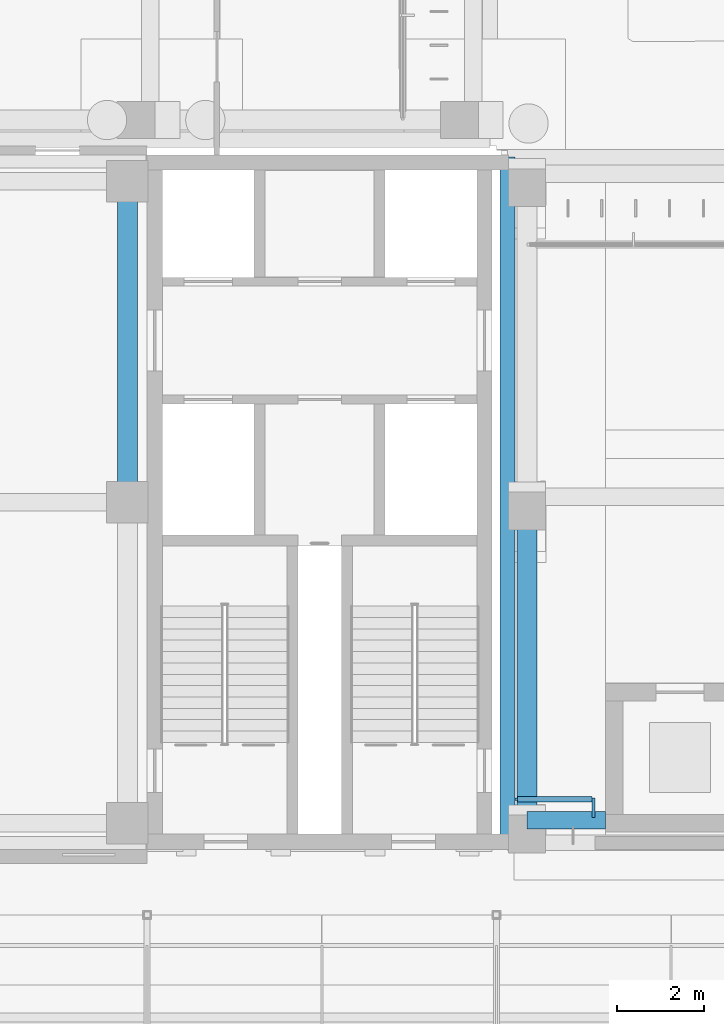
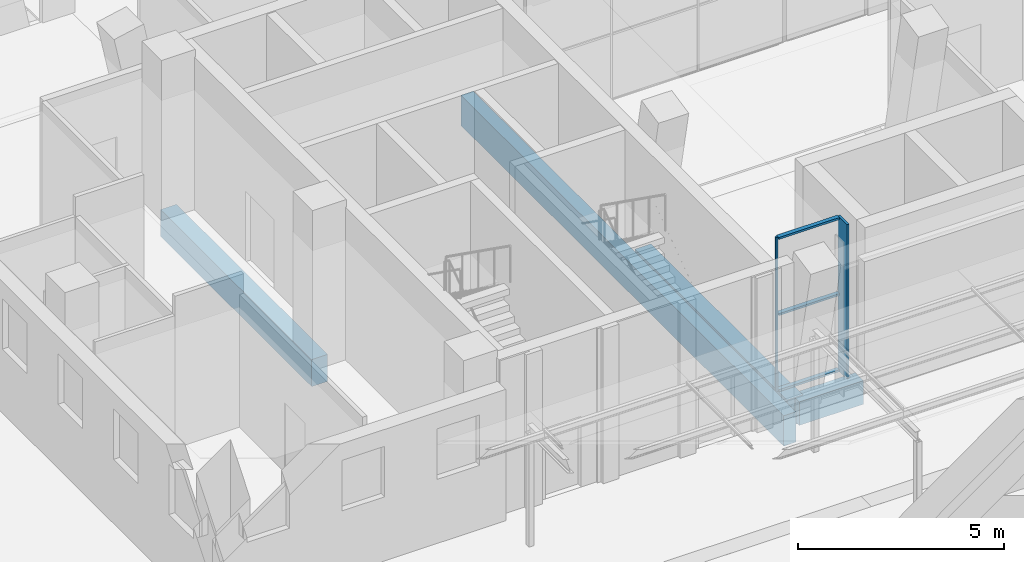
# One storey, part 30 of 144: 5 members, 4 beams, 1 element without a shape of its own.
"""IFC4 building model written with IfcOpenShell, lengths in metres."""

from ifc_helpers import new_model, si_unit, direction, frame, origin, origin_2d, place, context, subcontext, project, spatial, rectangle, extrude, material, material_profile, profile_set, type_object, element, aggregate, save


model = new_model("IFC4")

# Units and contexts
model_context = context("Model", 3, precision=1e-05, world=origin(), true_north=direction((0.0, 1.0)))
body_context = subcontext(model_context, "Body", "Model", "MODEL_VIEW")
ifc_project = project(units=[si_unit("LENGTHUNIT", "METRE"), si_unit("AREAUNIT", "SQUARE_METRE"), si_unit("VOLUMEUNIT", "CUBIC_METRE"), si_unit("PLANEANGLEUNIT", "RADIAN"), si_unit("MASSUNIT", "GRAM", prefix="KILO")], contexts=[model_context])

# Site, building, storey
site_placement = place(None, origin())
site = spatial("IfcSite", under=ifc_project, at=site_placement, CompositionType="ELEMENT")
building_placement = place(site_placement, origin())
building = spatial("IfcBuilding", under=site, at=building_placement, Name="Lantern Court Media Centre", CompositionType="ELEMENT")
storey_placement = place(building_placement, origin())
storey = spatial("IfcBuildingStorey", under=building, at=storey_placement, Name="L00", CompositionType="ELEMENT", Elevation=0.0)

# Curtain wall, members
ifc_material_1 = material(Name="Curtain wall bay 3000")
curtain_wall_type = type_object("IfcCurtainWallType", Name="Curtain wall bay 3000", PredefinedType="NOTDEFINED", material=ifc_material_1)
curtain_wall_placement = place(storey_placement, origin())
curtain_wall = element("IfcCurtainWall", 1, at=curtain_wall_placement, inside=storey, type_object=curtain_wall_type, Name="Curtain wall S outer L00", PredefinedType="NOTDEFINED")
ifc_material_2 = material(Name="Anodised aluminium", Category="aluminium")
ifc_material_profile_1 = material_profile(ifc_material_2, rectangle(XDim=0.449951171875, YDim=0.06005859375, at=origin_2d()), Name="AL 60x450")
ifc_profile_set_1 = profile_set([ifc_material_profile_1], Name="Anodised aluminium")
member_type_1 = type_object("IfcMemberType", Name="Curtain wall mullion 60x450", PredefinedType="MULLION", material=ifc_profile_set_1)
member_1_placement = place(storey_placement, frame((26.219970703125, 48.955078125, 0.0), z_axis=(0.0, 0.0, 1.0), x_axis=(0.0, 1.0, 0.0)))
member_1 = element("IfcMember", 2, at=member_1_placement, type_object=member_type_1, Name="CW1 mullion 2", PredefinedType="MULLION", context=body_context, shape_type="SweptSolid", body=[
    extrude(rectangle(XDim=0.449951171875, YDim=0.06005859375, at=origin_2d()), origin(), (0.0, 0.0, 1.0), 4.580078125),
])
ifc_material_profile_2 = material_profile(ifc_material_2, rectangle(XDim=0.06005859375, YDim=0.06005859375, at=origin_2d()), Name="AL 60x60")
ifc_profile_set_2 = profile_set([ifc_material_profile_2], Name="Anodised aluminium")
member_type_2 = type_object("IfcMemberType", Name="Curtain wall mullion 60x60", PredefinedType="MULLION", material=ifc_profile_set_2)
member_2_placement = place(storey_placement, frame((24.449951171875, 49.14990234375, 0.0), z_axis=(0.0, 0.0, 1.0), x_axis=(0.0, 1.0, 0.0)))
member_2 = element("IfcMember", 3, at=member_2_placement, type_object=member_type_2, Name="CW1 mullion 1", PredefinedType="MULLION", context=body_context, shape_type="SweptSolid", body=[
    extrude(rectangle(XDim=0.06005859375, YDim=0.06005859375, at=origin_2d()), origin(), (0.0, 0.0, 1.0), 4.580078125),
])
ifc_material_profile_3 = material_profile(ifc_material_2, rectangle(XDim=0.1201171875, YDim=0.06005859375, at=origin_2d()), Name="AL 60x120")
ifc_profile_set_3 = profile_set([ifc_material_profile_3], Name="Anodised aluminium")
member_type_3 = type_object("IfcMemberType", Name="Curtain wall transom 60x120", PredefinedType="USERDEFINED", material=ifc_profile_set_3)
member_3_placement = place(storey_placement, frame((24.47998046875, 49.14990234375, 0.030029296875), z_axis=(1.0, 0.0, 0.0), x_axis=(0.0, 1.0, 0.0)))
member_3 = element("IfcMember", 4, at=member_3_placement, type_object=member_type_3, Name="CW1 transom 1.1", ObjectType="TRANSOM", PredefinedType="USERDEFINED", context=body_context, shape_type="SweptSolid", body=[
    extrude(rectangle(XDim=0.1201171875, YDim=0.06005859375, at=origin_2d()), origin(), (0.0, 0.0, 1.0), 1.7099609375),
])
member_4_placement = place(storey_placement, frame((24.47998046875, 49.14990234375, 2.2900390625), z_axis=(1.0, 0.0, 0.0), x_axis=(0.0, 1.0, 0.0)))
member_4 = element("IfcMember", 5, at=member_4_placement, type_object=member_type_3, Name="CW1 transom 1.2", ObjectType="TRANSOM", PredefinedType="USERDEFINED", context=body_context, shape_type="SweptSolid", body=[
    extrude(rectangle(XDim=0.1201171875, YDim=0.06005859375, at=origin_2d()), origin(), (0.0, 0.0, 1.0), 1.7099609375),
])
member_5_placement = place(storey_placement, frame((24.47998046875, 49.14990234375, 4.550048828125), z_axis=(1.0, 0.0, 0.0), x_axis=(0.0, 1.0, 0.0)))
member_5 = element("IfcMember", 6, at=member_5_placement, type_object=member_type_3, Name="CW1 transom 1.3", ObjectType="TRANSOM", PredefinedType="USERDEFINED", context=body_context, shape_type="SweptSolid", body=[
    extrude(rectangle(XDim=0.1201171875, YDim=0.06005859375, at=origin_2d()), origin(), (0.0, 0.0, 1.0), 1.7099609375),
])
aggregate(curtain_wall, [member_2, member_1, member_3, member_4, member_5])

# Beams
ifc_material_3 = material(Name="Concrete C35", Category="concrete")
ifc_material_profile_4 = material_profile(ifc_material_3, rectangle(XDim=0.35009765625, YDim=0.89990234375, at=origin_2d()), Name="RC 350x900")
ifc_profile_set_4 = profile_set([ifc_material_profile_4], Name="Concrete C35")
beam_type_1 = type_object("IfcBeamType", Name="RC BEAM 350x900", PredefinedType="BEAM", material=ifc_profile_set_4)
beam_1_placement = place(storey_placement, frame((24.25, 48.14990234375, -0.449951171875), z_axis=(0.0, 1.0, 0.0), x_axis=(-1.0, 0.0, 0.0)))
element("IfcBeam", 7, at=beam_1_placement, inside=storey, type_object=beam_type_1, Name="EB-S-L00-C", PredefinedType="BEAM", context=body_context, shape_type="SweptSolid", body=[
    extrude(rectangle(XDim=0.35009765625, YDim=0.89990234375, at=origin_2d()), origin(), (0.0, 0.0, 1.0), 15.7001953125),
])
ifc_material_profile_5 = material_profile(ifc_material_3, rectangle(XDim=0.39990234375, YDim=0.699951171875, at=origin_2d()), Name="RC 400x700")
ifc_profile_set_5 = profile_set([ifc_material_profile_5], Name="Concrete C35")
beam_type_2 = type_object("IfcBeamType", Name="RC BEAM 400x700", PredefinedType="BEAM", material=ifc_profile_set_5)
beam_2_placement = place(storey_placement, frame((24.699951171875, 48.6728515625, -0.35009765625), z_axis=(1.0, 0.0, 0.0), x_axis=(0.0, 1.0, 0.0)))
element("IfcBeam", 8, at=beam_2_placement, inside=storey, type_object=beam_type_2, Name="LB-S-L00-0-0", PredefinedType="BEAM", context=body_context, shape_type="SweptSolid", body=[
    extrude(rectangle(XDim=0.39990234375, YDim=0.699951171875, at=origin_2d()), origin(), (0.0, 0.0, 1.0), 1.800048828125),
])
ifc_material_profile_6 = material_profile(ifc_material_3, rectangle(XDim=0.449951171875, YDim=0.800048828125, at=origin_2d()), Name="RC 450x800")
ifc_profile_set_6 = profile_set([ifc_material_profile_6], Name="Concrete C35")
beam_type_3 = type_object("IfcBeamType", Name="RC BEAM 450x800", PredefinedType="BEAM", material=ifc_profile_set_6)
beam_3_placement = place(storey_placement, frame((15.550048828125, 55.949951171875, -0.39990234375), z_axis=(0.0, 1.0, 0.0), x_axis=(-1.0, 0.0, 0.0)))
element("IfcBeam", 9, at=beam_3_placement, inside=storey, type_object=beam_type_3, Name="BB-SW-L00-X1-15", PredefinedType="BEAM", context=body_context, shape_type="SweptSolid", body=[
    extrude(rectangle(XDim=0.449951171875, YDim=0.800048828125, at=origin_2d()), origin(), (0.0, 0.0, 1.0), 7.35009765625),
])
beam_4_placement = place(storey_placement, frame((24.699951171875, 48.683349609375, -0.39990234375), z_axis=(0.0, 1.0, 0.0), x_axis=(-1.0, 0.0, 0.0)))
element("IfcBeam", 10, at=beam_4_placement, inside=storey, type_object=beam_type_3, Name="TB-S-L00-0-1", PredefinedType="BEAM", context=body_context, shape_type="SweptSolid", body=[
    extrude(rectangle(XDim=0.449951171875, YDim=0.800048828125, at=origin_2d()), origin(), (0.0, 0.0, 1.0), 7.39990234375),
])

save(model, "model.ifc")
